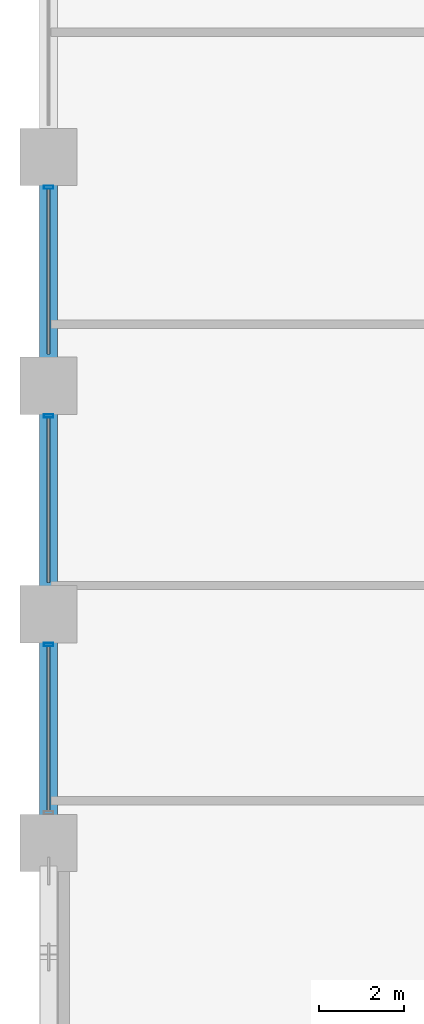
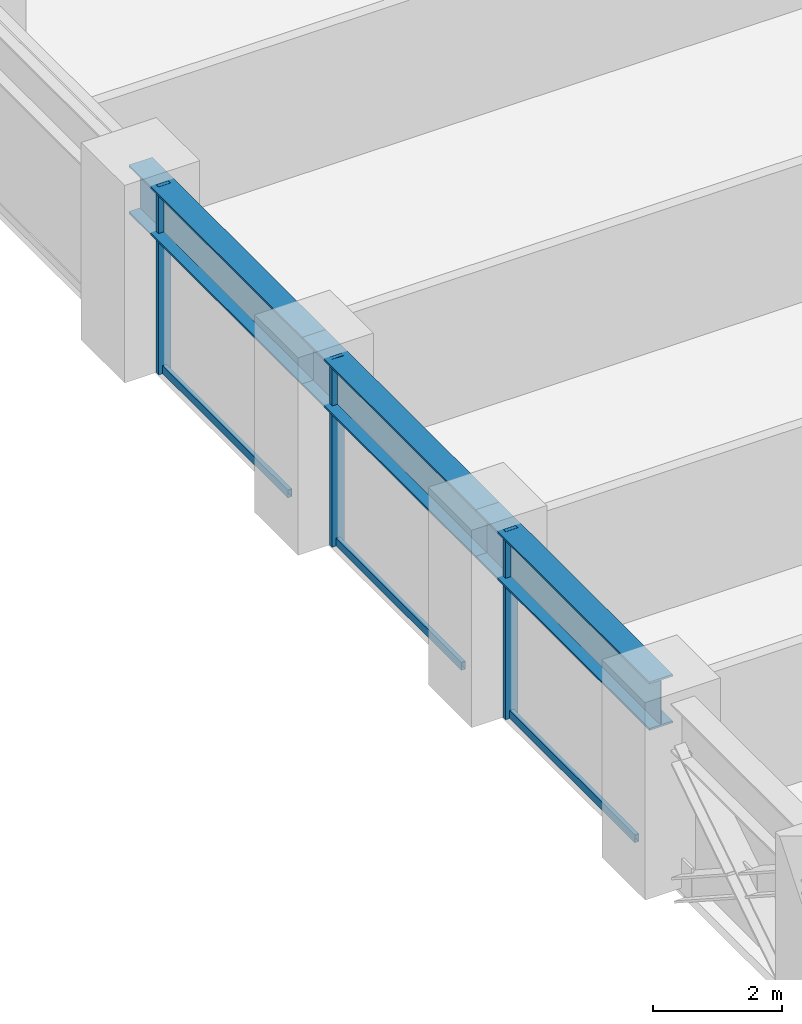
# One storey, part 6 of 24: 6 members, 3 beams, 1 element without a shape of its own.
"""IFC4 building model written with IfcOpenShell, lengths in metres."""

from ifc_helpers import new_model, si_unit, direction, frame, origin, origin_2d, place, context, subcontext, project, spatial, hollow_rectangle, i_section, extrude, material, layer, layer_set, material_profile, profile_set, type_object, element, aggregate, save


model = new_model("IFC4")

# Units and contexts
model_context = context("Model", 3, precision=1e-05, world=origin(), true_north=direction((0.0, 1.0)))
body_context = subcontext(model_context, "Body", "Model", "MODEL_VIEW")
ifc_project = project(units=[si_unit("LENGTHUNIT", "METRE"), si_unit("AREAUNIT", "SQUARE_METRE"), si_unit("VOLUMEUNIT", "CUBIC_METRE"), si_unit("PLANEANGLEUNIT", "RADIAN"), si_unit("MASSUNIT", "GRAM", prefix="KILO")], contexts=[model_context])

# Site, building, storey
site_placement = place(None, origin())
site = spatial("IfcSite", under=ifc_project, at=site_placement, CompositionType="ELEMENT")
building_placement = place(site_placement, origin())
building = spatial("IfcBuilding", under=site, at=building_placement, Name="Surkhivell Harbour Commons", CompositionType="ELEMENT")
storey_placement = place(building_placement, frame((0.0, 0.0, 26.25)))
storey = spatial("IfcBuildingStorey", under=building, at=storey_placement, Name="L06", CompositionType="ELEMENT", Elevation=26.25)

# Beams
ifc_material_1 = material(Name="Steel S460", Category="steel")
ifc_material_profile_1 = material_profile(ifc_material_1, i_section(OverallWidth=0.419921875, OverallDepth=0.9208984375, WebThickness=0.021484375, FlangeThickness=0.03662109375, at=origin_2d()), Name="UB914x419x388")
ifc_profile_set_1 = profile_set([ifc_material_profile_1], Name="Steel S460")
beam_type = type_object("IfcBeamType", Name="BM-SPN-914A", PredefinedType="SPANDREL", material=ifc_profile_set_1)
beam_placement = place(storey_placement, frame((-32.39990234375, -10.800048828125, 3.109619140625), z_axis=(0.0, 1.0, 0.0), x_axis=(-1.0, 0.0, 0.0)))
element("IfcBeam", 1, at=beam_placement, inside=storey, type_object=beam_type, Name="L06 Tube Spandrel (-32.4,-10.8)", PredefinedType="SPANDREL", context=body_context, shape_type="SweptSolid", body=[
    extrude(i_section(OverallWidth=0.419921875, OverallDepth=0.9208984375, WebThickness=0.021484375, FlangeThickness=0.03662109375, at=origin_2d()), origin(), (0.0, 0.0, 1.0), 5.400146484375),
])
for number, where, z_axis, x_axis, name in (
    (2, (-32.39990234375, -5.39990234375, 3.109619140625), (0.0, 1.0, 0.0), (-1.0, 0.0, 0.0), "L06 Tube Spandrel (-32.4,-5.4)"),
    (3, (-32.39990234375, 0.0, 3.109619140625), (0.0, 1.0, 0.0), (-1.0, 0.0, 0.0), "L06 Tube Spandrel (-32.4,0.0)"),
):
    element("IfcBeam", number, at=place(storey_placement, frame(where, z_axis=z_axis, x_axis=x_axis)), inside=storey, type_object=beam_type, Name=name, PredefinedType="SPANDREL", context=body_context, shape_type="SweptSolid", body=[
        extrude(i_section(OverallWidth=0.419921875, OverallDepth=0.9208984375, WebThickness=0.021484375, FlangeThickness=0.03662109375, at=origin_2d()), origin(), (0.0, 0.0, 1.0), 5.39990234375),
    ])

# Curtain wall, members
ifc_material_2 = material(Name="Anodised pale-metal aluminium and insulated glazing", Category="aluminium")
ifc_layer = layer(ifc_material_2, 0.219970703125)
ifc_layer_set = layer_set([ifc_layer], Name="Anodised pale-metal aluminium and insulated glazing")
curtain_wall_type = type_object("IfcCurtainWallType", Name="CW-SYS-Z1", PredefinedType="NOTDEFINED", material=ifc_layer_set)
curtain_wall_placement = place(storey_placement, origin())
curtain_wall = element("IfcCurtainWall", 4, at=curtain_wall_placement, inside=storey, type_object=curtain_wall_type, Name="L06 Curtain Wall CW-L06-E12S1", PredefinedType="NOTDEFINED")
ifc_material_3 = material(Name="Anodised pale-metal aluminium alloy 6063-T6", Category="aluminium")
ifc_material_profile_2 = material_profile(ifc_material_3, hollow_rectangle(XDim=0.074951171875, YDim=0.219970703125, WallThickness=0.00390625, at=origin_2d()), Name="ALU-MULL-75x220")
ifc_profile_set_2 = profile_set([ifc_material_profile_2], Name="Anodised pale-metal aluminium alloy 6063-T6")
member_type_1 = type_object("IfcMemberType", Name="CWM-220", PredefinedType="MULLION", material=ifc_profile_set_2)
member_1_placement = place(storey_placement, frame((-32.39990234375, 4.685546875, 0.0), z_axis=(0.0, 0.0, 1.0), x_axis=(0.0, -1.0, 0.0)))
member_1 = element("IfcMember", 5, at=member_1_placement, type_object=member_type_1, Name="CW-Z1 mullion 4", PredefinedType="MULLION", context=body_context, shape_type="SweptSolid", body=[
    extrude(hollow_rectangle(XDim=0.074951171875, YDim=0.219970703125, WallThickness=0.00390625, at=origin_2d()), origin(), (0.0, 0.0, 1.0), 3.570068359375),
])
member_2_placement = place(storey_placement, frame((-32.39990234375, -0.714599609375, 0.0), z_axis=(0.0, 0.0, 1.0), x_axis=(0.0, -1.0, 0.0)))
member_2 = element("IfcMember", 6, at=member_2_placement, type_object=member_type_1, Name="CW-Z1 mullion 5", PredefinedType="MULLION", context=body_context, shape_type="SweptSolid", body=[
    extrude(hollow_rectangle(XDim=0.074951171875, YDim=0.219970703125, WallThickness=0.00390625, at=origin_2d()), origin(), (0.0, 0.0, 1.0), 3.570068359375),
])
member_3_placement = place(storey_placement, frame((-32.39990234375, -6.114501953125, 0.0), z_axis=(0.0, 0.0, 1.0), x_axis=(0.0, -1.0, 0.0)))
member_3 = element("IfcMember", 7, at=member_3_placement, type_object=member_type_1, Name="CW-Z1 mullion 6", PredefinedType="MULLION", context=body_context, shape_type="SweptSolid", body=[
    extrude(hollow_rectangle(XDim=0.074951171875, YDim=0.219970703125, WallThickness=0.00390625, at=origin_2d()), origin(), (0.0, 0.0, 1.0), 3.570068359375),
])
ifc_material_profile_3 = material_profile(ifc_material_3, hollow_rectangle(XDim=0.074951171875, YDim=0.14990234375, WallThickness=0.00341796875, at=origin_2d()), Name="ALU-TRAN-75x150")
ifc_profile_set_3 = profile_set([ifc_material_profile_3], Name="Anodised pale-metal aluminium alloy 6063-T6")
member_type_2 = type_object("IfcMemberType", Name="CWT-150", PredefinedType="USERDEFINED", material=ifc_profile_set_3)
member_4_placement = place(storey_placement, frame((-32.39990234375, 4.64794921875, 0.074951171875), z_axis=(0.0, -1.0, 0.0), x_axis=(1.0, 0.0, 0.0)))
member_4 = element("IfcMember", 8, at=member_4_placement, type_object=member_type_2, Name="CW-Z1 transom 4.1", ObjectType="TRANSOM", PredefinedType="USERDEFINED", context=body_context, shape_type="SweptSolid", body=[
    extrude(hollow_rectangle(XDim=0.074951171875, YDim=0.14990234375, WallThickness=0.00341796875, at=origin_2d()), origin(), (0.0, 0.0, 1.0), 3.89599609375),
])
member_5_placement = place(storey_placement, frame((-32.39990234375, -0.751953125, 0.074951171875), z_axis=(0.0, -1.0, 0.0), x_axis=(1.0, 0.0, 0.0)))
member_5 = element("IfcMember", 9, at=member_5_placement, type_object=member_type_2, Name="CW-Z1 transom 5.1", ObjectType="TRANSOM", PredefinedType="USERDEFINED", context=body_context, shape_type="SweptSolid", body=[
    extrude(hollow_rectangle(XDim=0.074951171875, YDim=0.14990234375, WallThickness=0.00341796875, at=origin_2d()), origin(), (0.0, 0.0, 1.0), 3.89599609375),
])
member_6_placement = place(storey_placement, frame((-32.39990234375, -6.152099609375, 0.074951171875), z_axis=(0.0, -1.0, 0.0), x_axis=(1.0, 0.0, 0.0)))
member_6 = element("IfcMember", 10, at=member_6_placement, type_object=member_type_2, Name="CW-Z1 transom 6.1", ObjectType="TRANSOM", PredefinedType="USERDEFINED", context=body_context, shape_type="SweptSolid", body=[
    extrude(hollow_rectangle(XDim=0.074951171875, YDim=0.14990234375, WallThickness=0.00341796875, at=origin_2d()), origin(), (0.0, 0.0, 1.0), 3.89599609375),
])
aggregate(curtain_wall, [member_1, member_4, member_2, member_5, member_3, member_6])

save(model, "model.ifc")
